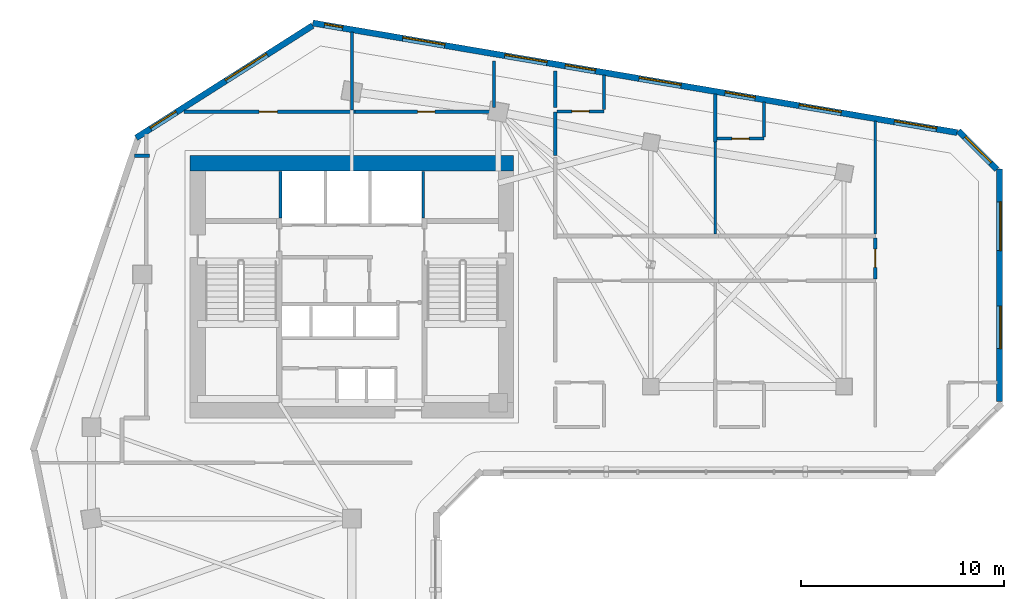
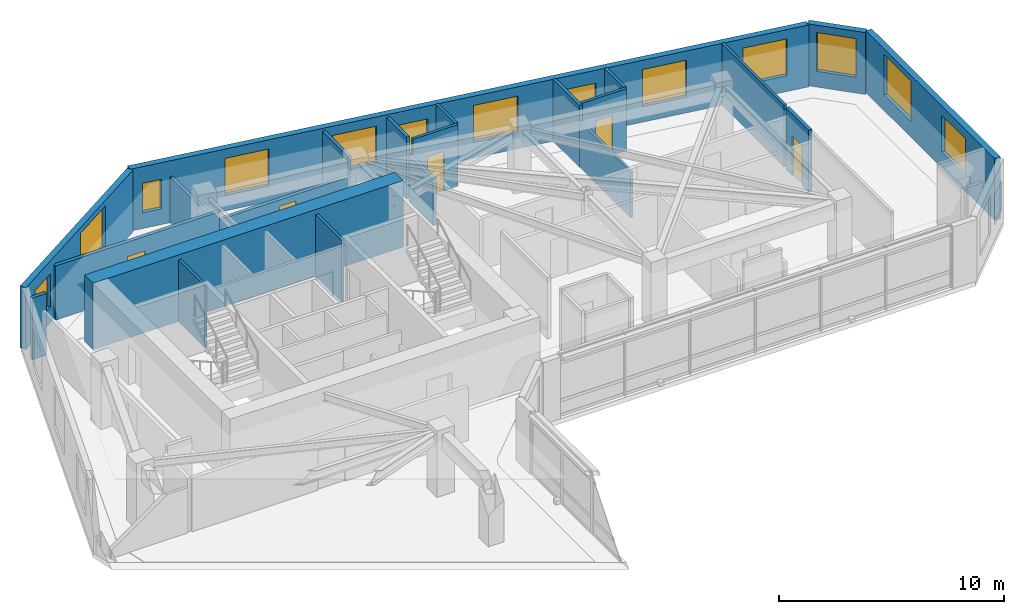
# One storey, part 7 of 11: 22 walls, 13 windows, 5 doors, 18 openings.
"""IFC4 building model written with IfcOpenShell, lengths in metres."""

from ifc_helpers import new_model, si_unit, direction, frame, frame_2d, origin, place, context, subcontext, project, spatial, rectangle, extrude, source, transform, mapped, material, layer, layer_set, type_object, element, fill, save


model = new_model("IFC4")

# Units and contexts
model_context = context("Model", 3, precision=1e-05, world=origin(), true_north=direction((0.0, 1.0)))
body_context = subcontext(model_context, "Body", "Model", "MODEL_VIEW")
ifc_project = project(units=[si_unit("LENGTHUNIT", "METRE"), si_unit("AREAUNIT", "SQUARE_METRE"), si_unit("VOLUMEUNIT", "CUBIC_METRE"), si_unit("PLANEANGLEUNIT", "RADIAN"), si_unit("MASSUNIT", "GRAM", prefix="KILO")], contexts=[model_context])

# Site, building, storey
site_placement = place(None, origin())
site = spatial("IfcSite", under=ifc_project, at=site_placement, CompositionType="ELEMENT")
building_placement = place(site_placement, origin())
building = spatial("IfcBuilding", under=site, at=building_placement, Name="Calvemar Wedge Station Tower", CompositionType="ELEMENT")
storey_placement = place(building_placement, frame((0.0, 0.0, 157.39990234375)))
storey = spatial("IfcBuildingStorey", under=building, at=storey_placement, Name="L39", CompositionType="ELEMENT", Elevation=157.39990234375)

# Walls
ifc_material_1 = material(Name="Concrete C70", Category="concrete")
ifc_layer_1 = layer(ifc_material_1, 0.75)
ifc_layer_set_1 = layer_set([ifc_layer_1], Name="Concrete C70")
wall_type_1 = type_object("IfcWallType", Name="SW-CORE-750", PredefinedType="SHEAR", material=ifc_layer_set_1)
wall_1_placement = place(storey_placement, frame((15.85009765625, 45.97509765625, 0.0), z_axis=(0.0, 0.0, 1.0), x_axis=(1.0, 0.0, 0.0)))
element("IfcWall", 1, at=wall_1_placement, inside=storey, type_object=wall_type_1, Name="Storey L39 Core Shear Wall N", PredefinedType="SHEAR", context=body_context, shape_type="SweptSolid", body=[
    extrude(rectangle(XDim=15.89990234375, YDim=0.75, at=frame_2d((7.949951171875, 0.0))), origin(), (0.0, 0.0, 1.0), 3.60009765625),
])
ifc_material_2 = material(Name="Double-stud fire-rated corridor partition")
ifc_layer_2 = layer(ifc_material_2, 0.179931640625)
ifc_layer_set_2 = layer_set([ifc_layer_2], Name="Double-stud fire-rated corridor partition")
wall_type_2 = type_object("IfcWallType", Name="W-CORR-180", PredefinedType="PARTITIONING", material=ifc_layer_set_2)
wall_2_placement = place(storey_placement, frame((13.860107421875, 46.35009765625, 0.0), z_axis=(0.0, 0.0, 1.0), x_axis=(-1.0, 0.0, 0.0)))
element("IfcWall", 2, at=wall_2_placement, inside=storey, type_object=wall_type_2, Name="Storey L39 Interior Partition WL-L39-011", PredefinedType="PARTITIONING", context=body_context, shape_type="SweptSolid", body=[
    extrude(rectangle(XDim=0.73486328125, YDim=0.179931640625, at=frame_2d((0.367431640625, 0.0))), origin(), (0.0, 0.0, 1.0), 3.35009765625),
])

# Wall, opening, door
wall_3_placement = place(storey_placement, frame((15.552490234375, 48.5, 0.0), z_axis=(0.0, 0.0, 1.0), x_axis=(1.0, 0.0, 0.0)))
wall_3 = element("IfcWall", 3, at=wall_3_placement, inside=storey, type_object=wall_type_2, Name="Storey L39 Interior Partition WL-L39-012", PredefinedType="PARTITIONING", context=body_context, shape_type="SweptSolid", body=[
    extrude(rectangle(XDim=8.407470703125, YDim=0.179931640625, at=frame_2d((4.20361328125, 0.0))), origin(), (0.0, 0.0, 1.0), 2.93505859375),
])
shared_shape_1 = source(origin(), body_context, "Body", "SweptSolid", [
    extrude(rectangle(XDim=0.89990234375, YDim=2.14990234375, at=frame_2d((0.449951171875, 1.074951171875))), frame((0.0, 0.10009765625, 0.0), z_axis=(0.0, -1.0, 0.0), x_axis=(1.0, 0.0, 0.0)), (0.0, 0.0, 1.0), 0.199951171875),
])
opening_1_placement = place(wall_3_placement, frame((3.69287109375, 0.0, 0.0)))
opening_1 = element("IfcOpeningElement", 4, at=opening_1_placement, cuts=wall_3, Name="Opening D-01", PredefinedType="OPENING", context=body_context, shape_type="MappedRepresentation", body=[
    mapped(shared_shape_1, transform((0.0, 0.0, 0.0), scale=1.0)),
])
ifc_material_3 = material(Name="Architectural hardwood acoustic swing door", Category="wood")
door_type_1 = type_object("IfcDoorType", Name="DR-INT-900", OperationType="NOTDEFINED", PredefinedType="DOOR", material=ifc_material_3)
shared_shape_2 = source(origin(), body_context, "Body", "SweptSolid", [
    extrude(rectangle(XDim=0.89990234375, YDim=2.14990234375, at=frame_2d((0.449951171875, 1.074951171875))), frame((0.0, 0.02490234375, 0.0), z_axis=(0.0, -1.0, 0.0), x_axis=(1.0, 0.0, 0.0)), (0.0, 0.0, 1.0), 0.050048828125),
])
door_1_placement = place(opening_1_placement, origin())
door_1 = element("IfcDoor", 5, at=door_1_placement, inside=storey, type_object=door_type_1, Name="L39 Guest Pantry Door", OperationType="SINGLE_SWING_LEFT", OverallHeight=2.14990234375, OverallWidth=0.89990234375, PredefinedType="DOOR", context=body_context, shape_type="MappedRepresentation", body=[
    mapped(shared_shape_2, transform((0.0, 0.0, 0.0), scale=1.0)),
])
fill(opening_1, door_1)

wall_4_placement = place(storey_placement, frame((23.9619140625, 48.5, 0.0), z_axis=(0.0, 0.0, 1.0), x_axis=(1.0, 0.0, 0.0)))
wall_4 = element("IfcWall", 6, at=wall_4_placement, inside=storey, type_object=wall_type_2, Name="Storey L39 Interior Partition WL-L39-013", PredefinedType="PARTITIONING", context=body_context, shape_type="SweptSolid", body=[
    extrude(rectangle(XDim=6.998046875, YDim=0.179931640625, at=frame_2d((3.4990234375, 0.0))), origin(), (0.0, 0.0, 1.0), 2.4921875),
])
shared_shape_3 = source(origin(), body_context, "Body", "SweptSolid", [
    extrude(rectangle(XDim=0.85009765625, YDim=2.14990234375, at=frame_2d((0.425048828125, 1.074951171875))), frame((0.0, 0.10009765625, 0.0), z_axis=(0.0, -1.0, 0.0), x_axis=(1.0, 0.0, 0.0)), (0.0, 0.0, 1.0), 0.199951171875),
])
opening_2_placement = place(wall_4_placement, frame((3.073974609375, 0.0, 0.0)))
opening_2 = element("IfcOpeningElement", 7, at=opening_2_placement, cuts=wall_4, Name="Opening D-02", PredefinedType="OPENING", context=body_context, shape_type="MappedRepresentation", body=[
    mapped(shared_shape_3, transform((0.0, 0.0, 0.0), scale=1.0)),
])
ifc_material_4 = material(Name="Moisture-sealed bathroom hardwood swing door", Category="wood")
door_type_2 = type_object("IfcDoorType", Name="DR-WET-850", OperationType="NOTDEFINED", PredefinedType="DOOR", material=ifc_material_4)
shared_shape_4 = source(origin(), body_context, "Body", "SweptSolid", [
    extrude(rectangle(XDim=0.85009765625, YDim=2.14990234375, at=frame_2d((0.425048828125, 1.074951171875))), frame((0.0, 0.02490234375, 0.0), z_axis=(0.0, -1.0, 0.0), x_axis=(1.0, 0.0, 0.0)), (0.0, 0.0, 1.0), 0.050048828125),
])
door_2_placement = place(opening_2_placement, origin())
door_2 = element("IfcDoor", 8, at=door_2_placement, inside=storey, type_object=door_type_2, Name="L39 Accessible WC Door", OperationType="SINGLE_SWING_RIGHT", OverallHeight=2.14990234375, OverallWidth=0.85009765625, PredefinedType="DOOR", context=body_context, shape_type="MappedRepresentation", body=[
    mapped(shared_shape_4, transform((0.0, 0.0, 0.0), scale=1.0)),
])
fill(opening_2, door_2)

# Wall
wall_5_placement = place(storey_placement, frame((33.800048828125, 48.5, 0.0), z_axis=(0.0, 0.0, 1.0), x_axis=(0.0, -1.0, 0.0)))
element("IfcWall", 9, at=wall_5_placement, inside=storey, type_object=wall_type_2, Name="Storey L39 Interior Partition WL-L39-014", PredefinedType="PARTITIONING", context=body_context, shape_type="SweptSolid", body=[
    extrude(rectangle(XDim=2.14990234375, YDim=0.179931640625, at=frame_2d((1.074951171875, 0.0))), origin(), (0.0, 0.0, 1.0), 2.4921875),
])

# Wall, opening, door
wall_6_placement = place(storey_placement, frame((49.534912109375, 42.305908203125, 0.0), z_axis=(0.0, 0.0, 1.0), x_axis=(0.0, -1.0, 0.0)))
wall_6 = element("IfcWall", 10, at=wall_6_placement, inside=storey, type_object=wall_type_2, Name="Storey L39 Interior Partition WL-L39-023", PredefinedType="PARTITIONING", context=body_context, shape_type="SweptSolid", body=[
    extrude(rectangle(XDim=2.011962890625, YDim=0.179931640625, at=frame_2d((1.005859375, 0.0))), origin(), (0.0, 0.0, 1.0), 3.35009765625),
])
opening_3_placement = place(wall_6_placement, frame((0.555908203125, 0.0, 0.0)))
opening_3 = element("IfcOpeningElement", 11, at=opening_3_placement, cuts=wall_6, Name="Opening FD-60", PredefinedType="OPENING", context=body_context, shape_type="MappedRepresentation", body=[
    mapped(shared_shape_1, transform((0.0, 0.0, 0.0), scale=1.0)),
])
ifc_material_5 = material(Name="Fire-rated acoustic timber-core entrance door EI 60", Category="wood")
door_type_3 = type_object("IfcDoorType", Name="DR-FD60-900", OperationType="NOTDEFINED", PredefinedType="DOOR", material=ifc_material_5)
shared_shape_5 = source(origin(), body_context, "Body", "SweptSolid", [
    extrude(rectangle(XDim=0.89990234375, YDim=2.14990234375, at=frame_2d((0.449951171875, 1.074951171875))), frame((0.0, 0.02490234375, 0.0), z_axis=(0.0, -1.0, 0.0), x_axis=(1.0, 0.0, 0.0)), (0.0, 0.0, 1.0), 0.050048828125),
])
door_3_placement = place(opening_3_placement, origin())
door_3 = element("IfcDoor", 12, at=door_3_placement, inside=storey, type_object=door_type_3, Name="L39 Hotel Suite Door", OperationType="SINGLE_SWING_RIGHT", OverallHeight=2.14990234375, OverallWidth=0.89990234375, PredefinedType="DOOR", context=body_context, shape_type="MappedRepresentation", body=[
    mapped(shared_shape_5, transform((0.0, 0.0, 0.0), scale=1.0)),
])
fill(opening_3, door_3)

# Wall, openings, windows
ifc_material_6 = material(Name="Precast concrete C45", Category="concrete")
ifc_layer_3 = layer(ifc_material_6, 0.300048828125)
ifc_layer_set_3 = layer_set([ifc_layer_3], Name="Precast concrete C45")
wall_type_3 = type_object("IfcWallType", Name="W-EXT-GFRC-300", PredefinedType="SOLIDWALL", material=ifc_layer_set_3)
wall_7_placement = place(storey_placement, frame((55.64990234375, 34.249267578125, 0.0), z_axis=(0.0, 0.0, 1.0), x_axis=(0.0, 1.0, 0.0)))
wall_7 = element("IfcWall", 13, at=wall_7_placement, inside=storey, type_object=wall_type_3, Name="Storey L39 Bronze GFRC Exterior Wall 8", PredefinedType="SOLIDWALL", context=body_context, shape_type="SweptSolid", body=[
    extrude(rectangle(XDim=11.4306640625, YDim=0.300048828125, at=frame_2d((5.71533203125, 0.0))), origin(), (0.0, 0.0, 1.0), 3.35009765625),
])
shared_shape_6 = source(origin(), body_context, "Body", "SweptSolid", [
    extrude(rectangle(XDim=2.10009765625, YDim=2.0, at=frame_2d((1.050048828125, 1.0))), frame((0.0, 0.16015625, 0.0), z_axis=(0.0, -1.0, 0.0), x_axis=(1.0, 0.0, 0.0)), (0.0, 0.0, 1.0), 0.320068359375),
])
opening_4_placement = place(wall_7_placement, frame((2.60595703125, 0.0, 0.85009765625)))
opening_4 = element("IfcOpeningElement", 14, at=opening_4_placement, cuts=wall_7, Name="Opening W4", PredefinedType="OPENING", context=body_context, shape_type="MappedRepresentation", body=[
    mapped(shared_shape_6, transform((0.0, 0.0, 0.0), scale=1.0)),
])
shared_shape_7 = source(origin(), body_context, "Body", "SweptSolid", [
    extrude(rectangle(XDim=2.39990234375, YDim=2.199951171875, at=frame_2d((1.199951171875, 1.10009765625))), frame((0.0, 0.16015625, 0.0), z_axis=(0.0, -1.0, 0.0), x_axis=(1.0, 0.0, 0.0)), (0.0, 0.0, 1.0), 0.320068359375),
])
opening_5_placement = place(wall_7_placement, frame((7.426025390625, 0.0, 0.85009765625)))
opening_5 = element("IfcOpeningElement", 15, at=opening_5_placement, cuts=wall_7, Name="Opening W1", PredefinedType="OPENING", context=body_context, shape_type="MappedRepresentation", body=[
    mapped(shared_shape_7, transform((0.0, 0.0, 0.0), scale=1.0)),
])
ifc_material_7 = material(Name="Low-E laminated insulated glass", Category="glass")
window_type_1 = type_object("IfcWindowType", Name="WIN-EXT-4", PartitioningType="SINGLE_PANEL", PredefinedType="WINDOW", material=ifc_material_7)
shared_shape_8 = source(origin(), body_context, "Body", "SweptSolid", [
    extrude(rectangle(XDim=2.10009765625, YDim=2.0, at=frame_2d((1.050048828125, 1.0))), frame((0.0, -0.014892578125, 0.0), z_axis=(0.0, -1.0, 0.0), x_axis=(1.0, 0.0, 0.0)), (0.0, 0.0, 1.0), 0.06005859375),
])
window_1_placement = place(opening_4_placement, origin())
window_1 = element("IfcWindow", 16, at=window_1_placement, inside=storey, type_object=window_type_1, Name="Storey L39 Recessed Window 8.1", OverallHeight=2.0, OverallWidth=2.10009765625, PartitioningType="SINGLE_PANEL", PredefinedType="WINDOW", context=body_context, shape_type="MappedRepresentation", body=[
    mapped(shared_shape_8, transform((0.0, 0.0, 0.0), scale=1.0)),
])
fill(opening_4, window_1)
window_type_2 = type_object("IfcWindowType", Name="WIN-EXT-1", PartitioningType="SINGLE_PANEL", PredefinedType="WINDOW", material=ifc_material_7)
shared_shape_9 = source(origin(), body_context, "Body", "SweptSolid", [
    extrude(rectangle(XDim=2.39990234375, YDim=2.199951171875, at=frame_2d((1.199951171875, 1.10009765625))), frame((0.0, -0.014892578125, 0.0), z_axis=(0.0, -1.0, 0.0), x_axis=(1.0, 0.0, 0.0)), (0.0, 0.0, 1.0), 0.06005859375),
])
window_2_placement = place(opening_5_placement, origin())
window_2 = element("IfcWindow", 17, at=window_2_placement, inside=storey, type_object=window_type_2, Name="Storey L39 Recessed Window 8.2", OverallHeight=2.199951171875, OverallWidth=2.39990234375, PartitioningType="SINGLE_PANEL", PredefinedType="WINDOW", context=body_context, shape_type="MappedRepresentation", body=[
    mapped(shared_shape_9, transform((0.0, 0.0, 0.0), scale=1.0)),
])
fill(opening_5, window_2)

# Wall, opening, window
wall_8_placement = place(storey_placement, frame((55.511962890625, 45.66796875, 0.0), z_axis=(0.0, 0.0, 1.0), x_axis=(-0.707152443695, 0.707061115729, 0.0)))
wall_8 = element("IfcWall", 18, at=wall_8_placement, inside=storey, type_object=wall_type_3, Name="Storey L39 Bronze GFRC Exterior Wall 9", PredefinedType="SOLIDWALL", context=body_context, shape_type="SweptSolid", body=[
    extrude(rectangle(XDim=2.67333984375, YDim=0.300048828125, at=frame_2d((1.336669921875, 0.0))), origin(), (0.0, 0.0, 1.0), 3.35009765625),
])
shared_shape_10 = source(origin(), body_context, "Body", "SweptSolid", [
    extrude(rectangle(XDim=1.800048828125, YDim=2.10009765625, at=frame_2d((0.89990234375, 1.050048828125))), frame((0.0, 0.16015625, 0.0), z_axis=(0.0, -1.0, 0.0), x_axis=(1.0, 0.0, 0.0)), (0.0, 0.0, 1.0), 0.320068359375),
])
opening_6_placement = place(wall_8_placement, frame((0.43701171875, 0.0, 0.85009765625)))
opening_6 = element("IfcOpeningElement", 19, at=opening_6_placement, cuts=wall_8, Name="Opening W2", PredefinedType="OPENING", context=body_context, shape_type="MappedRepresentation", body=[
    mapped(shared_shape_10, transform((0.0, 0.0, 0.0), scale=1.0)),
])
window_type_3 = type_object("IfcWindowType", Name="WIN-EXT-2", PartitioningType="SINGLE_PANEL", PredefinedType="WINDOW", material=ifc_material_7)
shared_shape_11 = source(origin(), body_context, "Body", "SweptSolid", [
    extrude(rectangle(XDim=1.800048828125, YDim=2.10009765625, at=frame_2d((0.89990234375, 1.050048828125))), frame((0.0, -0.014892578125, 0.0), z_axis=(0.0, -1.0, 0.0), x_axis=(1.0, 0.0, 0.0)), (0.0, 0.0, 1.0), 0.06005859375),
])
window_3_placement = place(opening_6_placement, origin())
window_3 = element("IfcWindow", 20, at=window_3_placement, inside=storey, type_object=window_type_3, Name="Storey L39 Recessed Window 9.1", OverallHeight=2.10009765625, OverallWidth=1.800048828125, PartitioningType="SINGLE_PANEL", PredefinedType="WINDOW", context=body_context, shape_type="MappedRepresentation", body=[
    mapped(shared_shape_11, transform((0.0, 0.0, 0.0), scale=1.0)),
])
fill(opening_6, window_3)

# Wall, openings, windows
wall_9_placement = place(storey_placement, frame((53.56103515625, 47.48046875, 0.0), z_axis=(0.0, 0.0, 1.0), x_axis=(-0.985845173895, 0.167658262868, 0.0)))
wall_9 = element("IfcWall", 21, at=wall_9_placement, inside=storey, type_object=wall_type_3, Name="Storey L39 Bronze GFRC Exterior Wall 10", PredefinedType="SOLIDWALL", context=body_context, shape_type="SweptSolid", body=[
    extrude(rectangle(XDim=32.132080078125, YDim=0.300048828125, at=frame_2d((16.06591796875, 0.0))), origin(), (0.0, 0.0, 1.0), 3.35009765625),
])
opening_7_placement = place(wall_9_placement, frame((1.031982421875, 0.0, 0.85009765625)))
opening_7 = element("IfcOpeningElement", 22, at=opening_7_placement, cuts=wall_9, Name="Opening W4", PredefinedType="OPENING", context=body_context, shape_type="MappedRepresentation", body=[
    mapped(shared_shape_6, transform((0.0, 0.0, 0.0), scale=1.0)),
])
opening_8_placement = place(wall_9_placement, frame((5.787109375, 0.0, 0.85009765625)))
opening_8 = element("IfcOpeningElement", 23, at=opening_8_placement, cuts=wall_9, Name="Opening W4", PredefinedType="OPENING", context=body_context, shape_type="MappedRepresentation", body=[
    mapped(shared_shape_6, transform((0.0, 0.0, 0.0), scale=1.0)),
])
shared_shape_12 = source(origin(), body_context, "Body", "SweptSolid", [
    extrude(rectangle(XDim=1.5, YDim=1.800048828125, at=frame_2d((0.75, 0.89990234375))), frame((0.0, 0.16015625, 0.0), z_axis=(0.0, -1.0, 0.0), x_axis=(1.0, 0.0, 0.0)), (0.0, 0.0, 1.0), 0.320068359375),
])
opening_9_placement = place(wall_9_placement, frame((10.077880859375, 0.0, 0.85009765625)))
opening_9 = element("IfcOpeningElement", 24, at=opening_9_placement, cuts=wall_9, Name="Opening W3", PredefinedType="OPENING", context=body_context, shape_type="MappedRepresentation", body=[
    mapped(shared_shape_12, transform((0.0, 0.0, 0.0), scale=1.0)),
])
opening_10_placement = place(wall_9_placement, frame((13.76806640625, 0.0, 0.85009765625)))
opening_10 = element("IfcOpeningElement", 25, at=opening_10_placement, cuts=wall_9, Name="Opening W4", PredefinedType="OPENING", context=body_context, shape_type="MappedRepresentation", body=[
    mapped(shared_shape_6, transform((0.0, 0.0, 0.0), scale=1.0)),
])
opening_11_placement = place(wall_9_placement, frame((18.0390625, 0.0, 0.85009765625)))
opening_11 = element("IfcOpeningElement", 26, at=opening_11_placement, cuts=wall_9, Name="Opening W3", PredefinedType="OPENING", context=body_context, shape_type="MappedRepresentation", body=[
    mapped(shared_shape_12, transform((0.0, 0.0, 0.0), scale=1.0)),
])
opening_12_placement = place(wall_9_placement, frame((20.458984375, 0.0, 0.85009765625)))
opening_12 = element("IfcOpeningElement", 27, at=opening_12_placement, cuts=wall_9, Name="Opening W4", PredefinedType="OPENING", context=body_context, shape_type="MappedRepresentation", body=[
    mapped(shared_shape_6, transform((0.0, 0.0, 0.0), scale=1.0)),
])
opening_13_placement = place(wall_9_placement, frame((25.550048828125, 0.0, 0.85009765625)))
opening_13 = element("IfcOpeningElement", 28, at=opening_13_placement, cuts=wall_9, Name="Opening W4", PredefinedType="OPENING", context=body_context, shape_type="MappedRepresentation", body=[
    mapped(shared_shape_6, transform((0.0, 0.0, 0.0), scale=1.0)),
])
shared_shape_13 = source(origin(), body_context, "Body", "SweptSolid", [
    extrude(rectangle(XDim=0.89990234375, YDim=1.60009765625, at=frame_2d((0.449951171875, 0.800048828125))), frame((0.0, 0.16015625, 0.0), z_axis=(0.0, -1.0, 0.0), x_axis=(1.0, 0.0, 0.0)), (0.0, 0.0, 1.0), 0.320068359375),
])
opening_14_placement = place(wall_9_placement, frame((30.64990234375, 0.0, 0.85009765625)))
opening_14 = element("IfcOpeningElement", 29, at=opening_14_placement, cuts=wall_9, Name="Opening W7", PredefinedType="OPENING", context=body_context, shape_type="MappedRepresentation", body=[
    mapped(shared_shape_13, transform((0.0, 0.0, 0.0), scale=1.0)),
])
window_4_placement = place(opening_7_placement, origin())
window_4 = element("IfcWindow", 30, at=window_4_placement, inside=storey, type_object=window_type_1, Name="Storey L39 Recessed Window 10.1", OverallHeight=2.0, OverallWidth=2.10009765625, PartitioningType="SINGLE_PANEL", PredefinedType="WINDOW", context=body_context, shape_type="MappedRepresentation", body=[
    mapped(shared_shape_8, transform((0.0, 0.0, 0.0), scale=1.0)),
])
fill(opening_7, window_4)
window_5_placement = place(opening_8_placement, origin())
window_5 = element("IfcWindow", 31, at=window_5_placement, inside=storey, type_object=window_type_1, Name="Storey L39 Recessed Window 10.2", OverallHeight=2.0, OverallWidth=2.10009765625, PartitioningType="SINGLE_PANEL", PredefinedType="WINDOW", context=body_context, shape_type="MappedRepresentation", body=[
    mapped(shared_shape_8, transform((0.0, 0.0, 0.0), scale=1.0)),
])
fill(opening_8, window_5)
window_6_placement = place(opening_10_placement, origin())
window_6 = element("IfcWindow", 32, at=window_6_placement, inside=storey, type_object=window_type_1, Name="Storey L39 Recessed Window 10.4", OverallHeight=2.0, OverallWidth=2.10009765625, PartitioningType="SINGLE_PANEL", PredefinedType="WINDOW", context=body_context, shape_type="MappedRepresentation", body=[
    mapped(shared_shape_8, transform((0.0, 0.0, 0.0), scale=1.0)),
])
fill(opening_10, window_6)
window_7_placement = place(opening_12_placement, origin())
window_7 = element("IfcWindow", 33, at=window_7_placement, inside=storey, type_object=window_type_1, Name="Storey L39 Recessed Window 10.6", OverallHeight=2.0, OverallWidth=2.10009765625, PartitioningType="SINGLE_PANEL", PredefinedType="WINDOW", context=body_context, shape_type="MappedRepresentation", body=[
    mapped(shared_shape_8, transform((0.0, 0.0, 0.0), scale=1.0)),
])
fill(opening_12, window_7)
window_8_placement = place(opening_13_placement, origin())
window_8 = element("IfcWindow", 34, at=window_8_placement, inside=storey, type_object=window_type_1, Name="Storey L39 Recessed Window 10.7", OverallHeight=2.0, OverallWidth=2.10009765625, PartitioningType="SINGLE_PANEL", PredefinedType="WINDOW", context=body_context, shape_type="MappedRepresentation", body=[
    mapped(shared_shape_8, transform((0.0, 0.0, 0.0), scale=1.0)),
])
fill(opening_13, window_8)
window_type_4 = type_object("IfcWindowType", Name="WIN-EXT-3", PartitioningType="SINGLE_PANEL", PredefinedType="WINDOW", material=ifc_material_7)
shared_shape_14 = source(origin(), body_context, "Body", "SweptSolid", [
    extrude(rectangle(XDim=1.5, YDim=1.800048828125, at=frame_2d((0.75, 0.89990234375))), frame((0.0, -0.014892578125, 0.0), z_axis=(0.0, -1.0, 0.0), x_axis=(1.0, 0.0, 0.0)), (0.0, 0.0, 1.0), 0.06005859375),
])
window_9_placement = place(opening_9_placement, origin())
window_9 = element("IfcWindow", 35, at=window_9_placement, inside=storey, type_object=window_type_4, Name="Storey L39 Recessed Window 10.3", OverallHeight=1.800048828125, OverallWidth=1.5, PartitioningType="SINGLE_PANEL", PredefinedType="WINDOW", context=body_context, shape_type="MappedRepresentation", body=[
    mapped(shared_shape_14, transform((0.0, 0.0, 0.0), scale=1.0)),
])
fill(opening_9, window_9)
window_10_placement = place(opening_11_placement, origin())
window_10 = element("IfcWindow", 36, at=window_10_placement, inside=storey, type_object=window_type_4, Name="Storey L39 Recessed Window 10.5", OverallHeight=1.800048828125, OverallWidth=1.5, PartitioningType="SINGLE_PANEL", PredefinedType="WINDOW", context=body_context, shape_type="MappedRepresentation", body=[
    mapped(shared_shape_14, transform((0.0, 0.0, 0.0), scale=1.0)),
])
fill(opening_11, window_10)
window_type_5 = type_object("IfcWindowType", Name="WIN-EXT-7", PartitioningType="SINGLE_PANEL", PredefinedType="WINDOW", material=ifc_material_7)
shared_shape_15 = source(origin(), body_context, "Body", "SweptSolid", [
    extrude(rectangle(XDim=0.89990234375, YDim=1.60009765625, at=frame_2d((0.449951171875, 0.800048828125))), frame((0.0, -0.014892578125, 0.0), z_axis=(0.0, -1.0, 0.0), x_axis=(1.0, 0.0, 0.0)), (0.0, 0.0, 1.0), 0.06005859375),
])
window_11_placement = place(opening_14_placement, origin())
window_11 = element("IfcWindow", 37, at=window_11_placement, inside=storey, type_object=window_type_5, Name="Storey L39 Recessed Window 10.8", OverallHeight=1.60009765625, OverallWidth=0.89990234375, PartitioningType="SINGLE_PANEL", PredefinedType="WINDOW", context=body_context, shape_type="MappedRepresentation", body=[
    mapped(shared_shape_15, transform((0.0, 0.0, 0.0), scale=1.0)),
])
fill(opening_14, window_11)

wall_10_placement = place(storey_placement, frame((21.874755859375, 52.742431640625, 0.0), z_axis=(0.0, 0.0, 1.0), x_axis=(-0.843662465249, -0.536873956092, 0.0)))
wall_10 = element("IfcWall", 38, at=wall_10_placement, inside=storey, type_object=wall_type_3, Name="Storey L39 Bronze GFRC Exterior Wall 11", PredefinedType="SOLIDWALL", context=body_context, shape_type="SweptSolid", body=[
    extrude(rectangle(XDim=10.283935546875, YDim=0.300048828125, at=frame_2d((5.14208984375, 0.0))), origin(), (0.0, 0.0, 1.0), 3.35009765625),
])
opening_15_placement = place(wall_10_placement, frame((2.656005859375, 0.0, 0.85009765625)))
opening_15 = element("IfcOpeningElement", 39, at=opening_15_placement, cuts=wall_10, Name="Opening W1", PredefinedType="OPENING", context=body_context, shape_type="MappedRepresentation", body=[
    mapped(shared_shape_7, transform((0.0, 0.0, 0.0), scale=1.0)),
])
opening_16_placement = place(wall_10_placement, frame((7.93701171875, 0.0, 0.85009765625)))
opening_16 = element("IfcOpeningElement", 40, at=opening_16_placement, cuts=wall_10, Name="Opening W3", PredefinedType="OPENING", context=body_context, shape_type="MappedRepresentation", body=[
    mapped(shared_shape_12, transform((0.0, 0.0, 0.0), scale=1.0)),
])
window_12_placement = place(opening_15_placement, origin())
window_12 = element("IfcWindow", 41, at=window_12_placement, inside=storey, type_object=window_type_2, Name="Storey L39 Recessed Window 11.1", OverallHeight=2.199951171875, OverallWidth=2.39990234375, PartitioningType="SINGLE_PANEL", PredefinedType="WINDOW", context=body_context, shape_type="MappedRepresentation", body=[
    mapped(shared_shape_9, transform((0.0, 0.0, 0.0), scale=1.0)),
])
fill(opening_15, window_12)
window_13_placement = place(opening_16_placement, origin())
window_13 = element("IfcWindow", 42, at=window_13_placement, inside=storey, type_object=window_type_4, Name="Storey L39 Recessed Window 11.2", OverallHeight=1.800048828125, OverallWidth=1.5, PartitioningType="SINGLE_PANEL", PredefinedType="WINDOW", context=body_context, shape_type="MappedRepresentation", body=[
    mapped(shared_shape_14, transform((0.0, 0.0, 0.0), scale=1.0)),
])
fill(opening_16, window_13)

# Walls
ifc_material_8 = material(Name="Reinforced concrete blockwork lift shaft wall", Category="masonry")
ifc_layer_4 = layer(ifc_material_8, 0.139892578125)
ifc_layer_set_4 = layer_set([ifc_layer_4], Name="Reinforced concrete blockwork lift shaft wall")
wall_type_4 = type_object("IfcWallType", Name="W-LIFT-160", PredefinedType="SOLIDWALL", material=ifc_layer_set_4)
for number, where, z_axis, x_axis, name in (
    (43, (20.2900390625, 43.280029296875, 0.0), (0.0, 0.0, 1.0), (0.0, 1.0, 0.0), "Storey L39 Firefighting Lift Shaft Enclosure Wall W"),
    (44, (27.31005859375, 43.280029296875, 0.0), (0.0, 0.0, 1.0), (0.0, 1.0, 0.0), "Storey L39 Firefighting Lift Shaft Enclosure Wall E"),
):
    element("IfcWall", number, at=place(storey_placement, frame(where, z_axis=z_axis, x_axis=x_axis)), inside=storey, type_object=wall_type_4, Name=name, PredefinedType="SOLIDWALL", context=body_context, shape_type="SweptSolid", body=[
        extrude(rectangle(XDim=2.300048828125, YDim=0.139892578125, at=frame_2d((1.14990234375, 0.0))), origin(), (0.0, 0.0, 1.0), 3.35009765625),
    ])
ifc_material_9 = material(Name="Insulated acoustic gypsum stud partition")
ifc_layer_5 = layer(ifc_material_9, 0.125)
ifc_layer_set_5 = layer_set([ifc_layer_5], Name="Insulated acoustic gypsum stud partition")
wall_type_5 = type_object("IfcWallType", Name="W-PART-125", PredefinedType="PARTITIONING", material=ifc_layer_set_5)
wall_11_placement = place(storey_placement, frame((41.6669921875, 47.024658203125, 0.0), z_axis=(0.0, 0.0, 1.0), x_axis=(0.0, -1.0, 0.0)))
element("IfcWall", 45, at=wall_11_placement, inside=storey, type_object=wall_type_5, Name="Storey L39 Interior Partition WL-L39-027", PredefinedType="PARTITIONING", context=body_context, shape_type="SweptSolid", body=[
    extrude(rectangle(XDim=4.53076171875, YDim=0.125, at=frame_2d((2.265380859375, 0.0))), origin(), (0.0, 0.0, 1.0), 2.4921875),
])
wall_12_placement = place(storey_placement, frame((49.534912109375, 48.048583984375, 0.0), z_axis=(0.0, 0.0, 1.0), x_axis=(0.0, -1.0, 0.0)))
element("IfcWall", 46, at=wall_12_placement, inside=storey, type_object=wall_type_5, Name="Storey L39 Interior Partition WL-L39-034", PredefinedType="PARTITIONING", context=body_context, shape_type="SweptSolid", body=[
    extrude(rectangle(XDim=5.5546875, YDim=0.125, at=frame_2d((2.77734375, 0.0))), origin(), (0.0, 0.0, 1.0), 3.35009765625),
])
ifc_material_10 = material(Name="Moisture-resistant acoustic bathroom partition")
ifc_layer_6 = layer(ifc_material_10, 0.14990234375)
ifc_layer_set_6 = layer_set([ifc_layer_6], Name="Moisture-resistant acoustic bathroom partition")
wall_type_6 = type_object("IfcWallType", Name="W-WET-150", PredefinedType="PARTITIONING", material=ifc_layer_set_6)
wall_13_placement = place(storey_placement, frame((23.800048828125, 52.425048828125, 0.0), z_axis=(0.0, 0.0, 1.0), x_axis=(0.0, -1.0, 0.0)))
element("IfcWall", 47, at=wall_13_placement, inside=storey, type_object=wall_type_6, Name="Storey L39 Interior Partition WL-L39-018", PredefinedType="PARTITIONING", context=body_context, shape_type="SweptSolid", body=[
    extrude(rectangle(XDim=3.8310546875, YDim=0.14990234375, at=frame_2d((1.91552734375, 0.0))), origin(), (0.0, 0.0, 1.0), 2.4921875),
])

# Wall, opening, door
wall_14_placement = place(storey_placement, frame((36.199951171875, 48.5244140625, 0.0), z_axis=(0.0, 0.0, 1.0), x_axis=(-1.0, 0.0, 0.0)))
wall_14 = element("IfcWall", 48, at=wall_14_placement, inside=storey, type_object=wall_type_6, Name="Storey L39 Interior Partition WL-L39-024", PredefinedType="PARTITIONING", context=body_context, shape_type="SweptSolid", body=[
    extrude(rectangle(XDim=2.305908203125, YDim=0.14990234375, at=frame_2d((1.15283203125, 0.0))), origin(), (0.0, 0.0, 1.0), 3.35009765625),
])
shared_shape_16 = source(origin(), body_context, "Body", "SweptSolid", [
    extrude(rectangle(XDim=0.85009765625, YDim=2.14990234375, at=frame_2d((0.425048828125, 1.074951171875))), frame((0.0, 0.0849609375, 0.0), z_axis=(0.0, -1.0, 0.0), x_axis=(1.0, 0.0, 0.0)), (0.0, 0.0, 1.0), 0.169921875),
])
opening_17_placement = place(wall_14_placement, frame((0.72802734375, 0.0, 0.0)))
opening_17 = element("IfcOpeningElement", 49, at=opening_17_placement, cuts=wall_14, Name="Opening D-02", PredefinedType="OPENING", context=body_context, shape_type="MappedRepresentation", body=[
    mapped(shared_shape_16, transform((0.0, 0.0, 0.0), scale=1.0)),
])
door_4_placement = place(opening_17_placement, origin())
door_4 = element("IfcDoor", 50, at=door_4_placement, inside=storey, type_object=door_type_2, Name="L39 En-Suite Bathroom Door", OperationType="SINGLE_SWING_LEFT", OverallHeight=2.14990234375, OverallWidth=0.85009765625, PredefinedType="DOOR", context=body_context, shape_type="MappedRepresentation", body=[
    mapped(shared_shape_4, transform((0.0, 0.0, 0.0), scale=1.0)),
])
fill(opening_17, door_4)

# Walls
wall_15_placement = place(storey_placement, frame((36.199951171875, 50.31640625, 0.0), z_axis=(0.0, 0.0, 1.0), x_axis=(0.0, -1.0, 0.0)))
element("IfcWall", 51, at=wall_15_placement, inside=storey, type_object=wall_type_6, Name="Storey L39 Interior Partition WL-L39-025", PredefinedType="PARTITIONING", context=body_context, shape_type="SweptSolid", body=[
    extrude(rectangle(XDim=1.712890625, YDim=0.14990234375, at=frame_2d((0.8564453125, 0.0))), origin(), (0.0, 0.0, 1.0), 3.35009765625),
])
wall_16_placement = place(storey_placement, frame((41.6669921875, 49.38671875, 0.0), z_axis=(0.0, 0.0, 1.0), x_axis=(0.0, -1.0, 0.0)))
element("IfcWall", 52, at=wall_16_placement, inside=storey, type_object=wall_type_6, Name="Storey L39 Interior Partition WL-L39-026", PredefinedType="PARTITIONING", context=body_context, shape_type="SweptSolid", body=[
    extrude(rectangle(XDim=2.360107421875, YDim=0.14990234375, at=frame_2d((1.18017578125, 0.0))), origin(), (0.0, 0.0, 1.0), 3.35009765625),
])

# Wall, opening, door
wall_17_placement = place(storey_placement, frame((44.06689453125, 47.1865234375, 0.0), z_axis=(0.0, 0.0, 1.0), x_axis=(-1.0, 0.0, 0.0)))
wall_17 = element("IfcWall", 53, at=wall_17_placement, inside=storey, type_object=wall_type_6, Name="Storey L39 Interior Partition WL-L39-032", PredefinedType="PARTITIONING", context=body_context, shape_type="SweptSolid", body=[
    extrude(rectangle(XDim=2.32080078125, YDim=0.14990234375, at=frame_2d((1.160400390625, 0.0))), origin(), (0.0, 0.0, 1.0), 3.35009765625),
])
opening_18_placement = place(wall_17_placement, frame((0.735595703125, 0.0, 0.0)))
opening_18 = element("IfcOpeningElement", 54, at=opening_18_placement, cuts=wall_17, Name="Opening D-02", PredefinedType="OPENING", context=body_context, shape_type="MappedRepresentation", body=[
    mapped(shared_shape_16, transform((0.0, 0.0, 0.0), scale=1.0)),
])
door_5_placement = place(opening_18_placement, origin())
door_5 = element("IfcDoor", 55, at=door_5_placement, inside=storey, type_object=door_type_2, Name="L39 En-Suite Bathroom Door", OperationType="SINGLE_SWING_LEFT", OverallHeight=2.14990234375, OverallWidth=0.85009765625, PredefinedType="DOOR", context=body_context, shape_type="MappedRepresentation", body=[
    mapped(shared_shape_4, transform((0.0, 0.0, 0.0), scale=1.0)),
])
fill(opening_18, door_5)

# Walls
wall_18_placement = place(storey_placement, frame((44.06689453125, 48.978515625, 0.0), z_axis=(0.0, 0.0, 1.0), x_axis=(0.0, -1.0, 0.0)))
element("IfcWall", 56, at=wall_18_placement, inside=storey, type_object=wall_type_6, Name="Storey L39 Interior Partition WL-L39-033", PredefinedType="PARTITIONING", context=body_context, shape_type="SweptSolid", body=[
    extrude(rectangle(XDim=1.712890625, YDim=0.14990234375, at=frame_2d((0.8564453125, 0.0))), origin(), (0.0, 0.0, 1.0), 3.35009765625),
])
wall_19_placement = place(storey_placement, frame((30.800048828125, 51.011474609375, 0.0), z_axis=(0.0, 0.0, 1.0), x_axis=(0.0, -1.0, 0.0)))
element("IfcWall", 57, at=wall_19_placement, inside=storey, type_object=wall_type_6, Name="Storey L39 Bathroom Enclosure Wall WL-L39-043", PredefinedType="PARTITIONING", context=body_context, shape_type="SweptSolid", body=[
    extrude(rectangle(XDim=2.29150390625, YDim=0.14990234375, at=frame_2d((1.145751953125, 0.0))), origin(), (0.0, 0.0, 1.0), 3.35009765625),
])
wall_20_placement = place(storey_placement, frame((33.800048828125, 48.72314453125, 0.0), z_axis=(0.0, 0.0, 1.0), x_axis=(0.0, 1.0, 0.0)))
element("IfcWall", 58, at=wall_20_placement, inside=storey, type_object=wall_type_6, Name="Storey L39 Bathroom Enclosure Wall WL-L39-044", PredefinedType="PARTITIONING", context=body_context, shape_type="SweptSolid", body=[
    extrude(rectangle(XDim=1.778076171875, YDim=0.14990234375, at=frame_2d((0.88916015625, 0.0))), origin(), (0.0, 0.0, 1.0), 3.35009765625),
])

save(model, "model.ifc")
